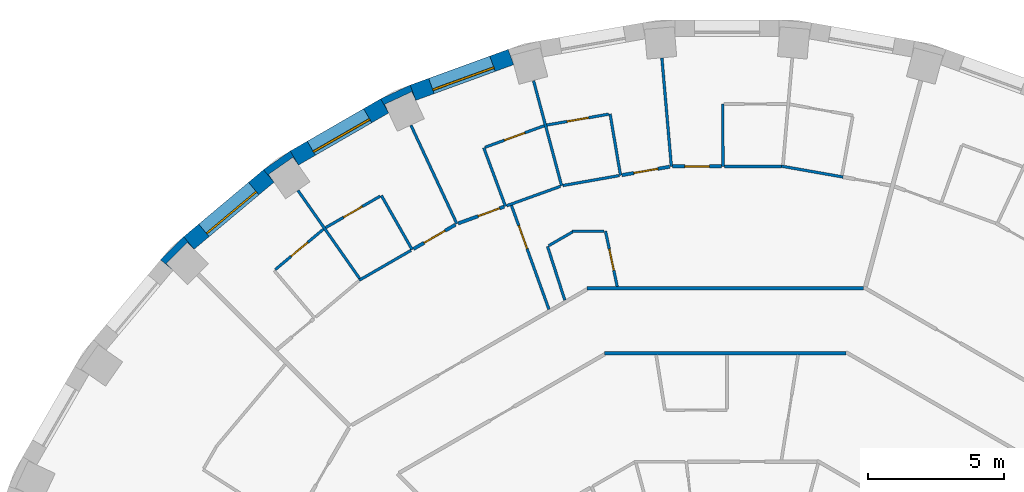
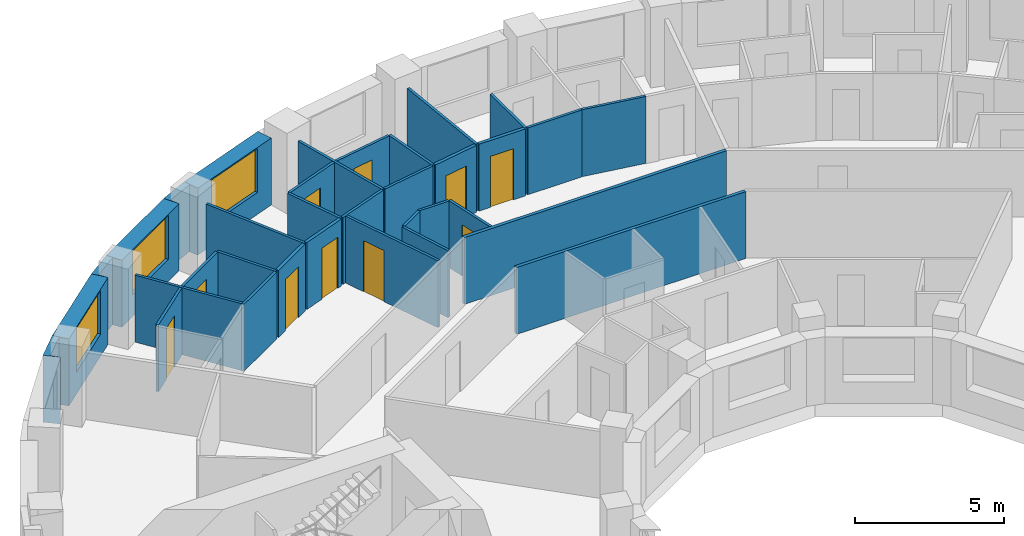
# One storey, part 12 of 16: 34 walls, 10 doors, 3 windows, 13 openings.
"""IFC4 building model written with IfcOpenShell, lengths in metres."""

import ifcopenshell
import ifcopenshell.guid

model = None  # the IFC model being written
_history = None  # IfcOwnerHistory: only IFC2X3 demands one
_inside = {}  # id of a spatial element -> (the spatial element, [elements in it])
_under = {}  # id of a project, library or spatial element -> (it, [spatial elements below it])
_declared = {}  # id of a project -> (the project, [libraries it declares])
_typed = {}  # id of a type object -> (the type object, [elements of that type])
_made_of = {}  # id of a material, layer set ... -> (it, [elements and type objects made of it])


def new_model(schema):
    """Start an empty IFC model of exactly this schema.

    Asked for "IFC4X3", IfcOpenShell would pick the latest addendum, in which some entities
    have other attributes; the version numbers below select the first issue.
    IFC2X3 requires an IfcOwnerHistory on every rooted entity: one is made here for all.
    """
    global model, _history
    if schema == "IFC4X3":
        model = ifcopenshell.file(schema_version=(4, 3, 0, 0))
    else:
        model = ifcopenshell.file(schema=schema)
    _inside.clear()
    _under.clear()
    _declared.clear()
    _typed.clear()
    _made_of.clear()
    _history = None
    if model.schema == "IFC2X3":
        org = make("IfcOrganization", Name="unknown")
        user = make(
            "IfcPersonAndOrganization",
            ThePerson=make("IfcPerson", FamilyName="unknown"),
            TheOrganization=org,
        )
        app = make(
            "IfcApplication",
            ApplicationDeveloper=org,
            Version="unknown",
            ApplicationFullName="unknown",
            ApplicationIdentifier="unknown",
        )
        _history = make(
            "IfcOwnerHistory",
            OwningUser=user,
            OwningApplication=app,
            ChangeAction="ADDED",
            CreationDate=0,
        )
    return model


def make(cls, **values):
    """One entity of the class cls with the attributes given. An attribute that is None is left unset."""
    return model.create_entity(
        cls, **{name: value for name, value in values.items() if value is not None}
    )


def rooted(cls, **values):
    """An entity with a GlobalId (a new one), such as an element, a storey or a relation."""
    return make(cls, GlobalId=ifcopenshell.guid.new(), OwnerHistory=_history, **values)


def si_unit(unit_type, name, prefix=None):
    """IfcSIUnit, for example si_unit("LENGTHUNIT", "METRE", prefix="MILLI")."""
    return make("IfcSIUnit", UnitType=unit_type, Prefix=prefix, Name=name)


def assignment(units):
    """IfcUnitAssignment: the units of a project."""
    return None if units is None else make("IfcUnitAssignment", Units=units)


def point(xyz):
    """IfcCartesianPoint."""
    return None if xyz is None else make("IfcCartesianPoint", Coordinates=xyz)


def direction(xyz):
    """IfcDirection."""
    return None if xyz is None else make("IfcDirection", DirectionRatios=xyz)


def frame(location, z_axis=None, x_axis=None):
    """IfcAxis2Placement3D, a coordinate frame: its origin and axes. An axis left out is left unset."""
    return make(
        "IfcAxis2Placement3D",
        Location=point(location),
        Axis=direction(z_axis),
        RefDirection=direction(x_axis),
    )


def frame_2d(location, x_axis=None):
    """IfcAxis2Placement2D, a coordinate frame in the plane: its origin and x axis."""
    return make(
        "IfcAxis2Placement2D", Location=point(location), RefDirection=direction(x_axis)
    )


def origin():
    """The frame at (0, 0, 0) with its axes left unset."""
    return frame((0.0, 0.0, 0.0))


def place(relative_to, where):
    """IfcLocalPlacement: puts the frame where relative to a parent placement (None: the world)."""
    return make(
        "IfcLocalPlacement", PlacementRelTo=relative_to, RelativePlacement=where
    )


def context(
    kind, dimensions, precision=None, world=None, true_north=None, identifier=None
):
    """IfcGeometricRepresentationContext, for example the 3D "Model" context."""
    return make(
        "IfcGeometricRepresentationContext",
        ContextIdentifier=identifier,
        ContextType=kind,
        CoordinateSpaceDimension=dimensions,
        Precision=precision,
        WorldCoordinateSystem=world,
        TrueNorth=true_north,
    )


def subcontext(parent, identifier, kind, view, scale=None):
    """IfcGeometricRepresentationSubContext, for example "Body" below "Model"."""
    return make(
        "IfcGeometricRepresentationSubContext",
        ContextIdentifier=identifier,
        ContextType=kind,
        ParentContext=parent,
        TargetScale=scale,
        TargetView=view,
    )


def project(units=None, contexts=None):
    """IfcProject with its units and contexts."""
    return rooted(
        "IfcProject",
        Name="project",
        RepresentationContexts=contexts,
        UnitsInContext=assignment(units),
    )


def spatial(cls, under=None, at=None, **own):
    """A site, building, storey or space (cls), placed at a placement, below another one or the project."""
    s = rooted(cls, ObjectPlacement=at, **own)
    if under is not None:
        _under.setdefault(under.id(), (under, []))[1].append(s)
    return s


def polyline(points):
    """IfcPolyline through the points."""
    return make("IfcPolyline", Points=[point(p) for p in points])


def profile(cls, at=None, kind="AREA", **sizes):
    """A parametric profile (cls). Its sizes go by their IFC names, for example OverallWidth=200.0."""
    return make(cls, ProfileType=kind, Position=at, **sizes)


def rectangle(**sizes):
    """IfcRectangleProfileDef."""
    return profile("IfcRectangleProfileDef", **sizes)


def outline(outer, holes=None, kind="AREA"):
    """IfcArbitraryClosedProfileDef: a profile drawn as a closed curve; with holes, ...WithVoids."""
    if holes is None:
        return make("IfcArbitraryClosedProfileDef", ProfileType=kind, OuterCurve=outer)
    return make(
        "IfcArbitraryProfileDefWithVoids",
        ProfileType=kind,
        OuterCurve=outer,
        InnerCurves=holes,
    )


def extrude(swept, where, along, depth):
    """IfcExtrudedAreaSolid: the profile swept, set in the frame where, extruded along a direction by depth."""
    return make(
        "IfcExtrudedAreaSolid",
        SweptArea=swept,
        Position=where,
        ExtrudedDirection=direction(along),
        Depth=depth,
    )


def shape(context_of_items, identifier, shape_type, items):
    """IfcShapeRepresentation: the items that make up one representation, for example the "Body"."""
    return make(
        "IfcShapeRepresentation",
        ContextOfItems=context_of_items,
        RepresentationIdentifier=identifier,
        RepresentationType=shape_type,
        Items=items,
    )


def material(Name=None, Category=None):
    """IfcMaterial."""
    return make("IfcMaterial", Name=Name, Category=Category)


def layer(
    of_material, thickness, ventilated=None, Name=None, Category=None, Priority=None
):
    """IfcMaterialLayer: one layer of a wall or slab, of a material (None: an air gap)."""
    return make(
        "IfcMaterialLayer",
        Material=of_material,
        LayerThickness=thickness,
        IsVentilated=ventilated,
        Name=Name,
        Category=Category,
        Priority=Priority,
    )


def layer_set(layers, Name=None):
    """IfcMaterialLayerSet."""
    return make("IfcMaterialLayerSet", MaterialLayers=layers, LayerSetName=Name)


def made_of(thing, what):
    """Note that an element or type object is made of a material, layer set ...; save() writes the relation."""
    if what is not None:
        _made_of.setdefault(what.id(), (what, []))[1].append(thing)
    return thing


def type_object(cls, material=None, **own):
    """A type object (cls), such as IfcWallType, which elements share."""
    return made_of(rooted(cls, **own), material)


def element(
    cls,
    number,
    at=None,
    inside=None,
    cuts=None,
    type_object=None,
    material=None,
    context=None,
    identifier="Body",
    shape_type=None,
    held_by="IfcProductDefinitionShape",
    body=None,
    shapes=None,
    **own,
):
    """One element of the class cls, such as IfcWall. Its Tag is "e" and its number.

    at: its placement. inside: the storey or other place that contains it. cuts: it is an
    opening in that element (IfcRelVoidsElement). A single representation is given by context,
    identifier, shape_type and body (its items); several are given by shapes. held_by: the class
    of the entity that holds the representations. save() writes the other relations.
    """
    e = rooted(cls, Tag="e%d" % number, ObjectPlacement=at, **own)
    if body is not None:
        shapes = [shape(context, identifier, shape_type, body)]
    if shapes is not None:
        e.Representation = make(held_by, Representations=shapes)
    if inside is not None:
        _inside.setdefault(inside.id(), (inside, []))[1].append(e)
    if cuts is not None:
        rooted(
            "IfcRelVoidsElement", RelatingBuildingElement=cuts, RelatedOpeningElement=e
        )
    if type_object is not None:
        _typed.setdefault(type_object.id(), (type_object, []))[1].append(e)
    return made_of(e, material)


def fill(opening, filler):
    """IfcRelFillsElement: the door or window that sits in an opening."""
    return rooted(
        "IfcRelFillsElement",
        RelatingOpeningElement=opening,
        RelatedBuildingElement=filler,
    )


def aggregate(whole, parts):
    """IfcRelAggregates: a whole, such as a stair, and the parts it consists of."""
    return rooted("IfcRelAggregates", RelatingObject=whole, RelatedObjects=parts)


def save(model, path):
    """Write the relations noted so far, then the file.

    IfcRelAggregates (storeys below a building ...), IfcRelContainedInSpatialStructure (elements
    in a storey), IfcRelDefinesByType, IfcRelAssociatesMaterial and IfcRelDeclares: one each for
    every whole, place, type object, material and project.
    """
    for whole, parts in _under.values():
        aggregate(whole, parts)
    for where, things in _inside.values():
        rooted(
            "IfcRelContainedInSpatialStructure",
            RelatedElements=things,
            RelatingStructure=where,
        )
    for kind, things in _typed.values():
        rooted("IfcRelDefinesByType", RelatedObjects=things, RelatingType=kind)
    for what, things in _made_of.values():
        rooted("IfcRelAssociatesMaterial", RelatedObjects=things, RelatingMaterial=what)
    for by, libraries in _declared.values():
        rooted("IfcRelDeclares", RelatingContext=by, RelatedDefinitions=libraries)
    model.write(path)


model = new_model("IFC4")

# Units and contexts
model_context = context("Model", 3, precision=1e-05, world=origin(), true_north=direction((0.0, 1.0)))
body_context = subcontext(model_context, "Body", "Model", "MODEL_VIEW")
ifc_project = project(units=[si_unit("LENGTHUNIT", "METRE"), si_unit("AREAUNIT", "SQUARE_METRE"), si_unit("VOLUMEUNIT", "CUBIC_METRE"), si_unit("PLANEANGLEUNIT", "RADIAN"), si_unit("MASSUNIT", "GRAM", prefix="KILO")], contexts=[model_context])

# Site, building, storey
site_placement = place(None, origin())
site = spatial("IfcSite", under=ifc_project, at=site_placement, CompositionType="ELEMENT")
building_placement = place(site_placement, origin())
building = spatial("IfcBuilding", under=site, at=building_placement, Name="Saqina Gate Tower", CompositionType="ELEMENT")
storey_placement = place(building_placement, frame((0.0, 0.0, 32.89990234375)))
storey = spatial("IfcBuildingStorey", under=building, at=storey_placement, Name="L08", CompositionType="ELEMENT", Elevation=32.89990234375)

# Walls
ifc_material_1 = material(Name="Brick masonry (red)", Category="masonry")
wall_type_1 = type_object("IfcWallType", Name="BRICK PIER COPING RED", PredefinedType="SOLIDWALL", material=ifc_material_1)
wall_1_placement = place(storey_placement, origin())
element("IfcWall", 1, at=wall_1_placement, inside=storey, type_object=wall_type_1, Name="Pier cap L08 column 12", PredefinedType="SOLIDWALL", context=body_context, shape_type="SweptSolid", body=[
    extrude(outline(polyline([(-12.779541015625, 25.980712890625), (-12.4794921875, 25.4609375), (-12.627685546875, 25.778564453125), (-11.630615234375, 26.243408203125), (-11.482666015625, 25.92578125), (-11.687744140625, 26.48974609375), (-12.779541015625, 25.980712890625)])), origin(), (0.0, 0.0, 1.0), 2.75),
])
wall_2_placement = place(storey_placement, origin())
element("IfcWall", 2, at=wall_2_placement, inside=storey, type_object=wall_type_1, Name="Pier cap L08 column 13", PredefinedType="SOLIDWALL", context=body_context, shape_type="SweptSolid", body=[
    extrude(outline(polyline([(-16.110107421875, 24.0576171875), (-17.096923828125, 23.36669921875), (-16.711181640625, 22.9072265625), (-16.912109375, 23.194091796875), (-16.010986328125, 23.8251953125), (-15.81005859375, 23.5380859375), (-16.110107421875, 24.0576171875)])), origin(), (0.0, 0.0, 1.0), 2.75),
])
wall_3_placement = place(storey_placement, origin())
element("IfcWall", 3, at=wall_3_placement, inside=storey, type_object=wall_type_1, Name="Pier cap L08 column 14", PredefinedType="SOLIDWALL", context=body_context, shape_type="SweptSolid", body=[
    extrude(outline(polyline([(-20.894775390625, 20.04296875), (-20.43505859375, 19.6572265625), (-20.682861328125, 19.905029296875), (-19.905029296875, 20.682861328125), (-19.6572265625, 20.43505859375), (-20.04296875, 20.894775390625), (-20.894775390625, 20.04296875)])), origin(), (0.0, 0.0, 1.0), 2.75),
])

# Wall, opening, window
ifc_material_2 = material(Name="Brick masonry (red)", Category="masonry")
ifc_layer_1 = layer(ifc_material_2, 0.60009765625)
ifc_layer_set_1 = layer_set([ifc_layer_1], Name="FW-BRICK-RED")
wall_type_2 = type_object("IfcWallType", Name="FW-BRICK-RED", PredefinedType="SOLIDWALL", material=ifc_layer_set_1)
wall_4_placement = place(storey_placement, frame((-7.97119140625, 27.523193359375, 0.0), z_axis=(0.0, 0.0, 1.0), x_axis=(-0.939689588564, -0.342028474173, 0.0)))
wall_4 = element("IfcWall", 4, at=wall_4_placement, inside=storey, type_object=wall_type_2, Name="Facade wall L08 facet 11", PredefinedType="SOLIDWALL", context=body_context, shape_type="SweptSolid", body=[
    extrude(rectangle(XDim=3.845947265625, YDim=0.60009765625, at=frame_2d((1.9228515625, 0.0))), origin(), (0.0, 0.0, 1.0), 2.75),
])
opening_1_placement = place(wall_4_placement, frame((0.722900390625, 0.0, 0.89990234375)))
opening_1 = element("IfcOpeningElement", 5, at=opening_1_placement, cuts=wall_4, Name="Opening G01-W09", PredefinedType="OPENING", context=body_context, shape_type="SweptSolid", body=[
    extrude(rectangle(XDim=2.39990234375, YDim=1.800048828125, at=frame_2d((1.199951171875, 0.89990234375))), frame((0.0, 0.31201171875, 0.0), z_axis=(0.0, -1.0, 0.0), x_axis=(1.0, 0.0, 0.0)), (0.0, 0.0, 1.0), 0.6240234375),
])
ifc_material_3 = material(Name="Aluminium glazing", Category="aluminium")
window_type = type_object("IfcWindowType", Name="WN-A", PartitioningType="SINGLE_PANEL", PredefinedType="WINDOW", material=ifc_material_3)
window_1_placement = place(opening_1_placement, origin())
window_1 = element("IfcWindow", 6, at=window_1_placement, inside=storey, type_object=window_type, Name="Window L08 facet 11", OverallHeight=1.800048828125, OverallWidth=2.39990234375, PartitioningType="SINGLE_PANEL", PredefinedType="WINDOW", context=body_context, shape_type="SweptSolid", body=[
    extrude(rectangle(XDim=2.39990234375, YDim=1.800048828125, at=frame_2d((1.199951171875, 0.89990234375))), frame((0.0, 0.179931640625, 0.0), z_axis=(0.0, -1.0, 0.0), x_axis=(1.0, 0.0, 0.0)), (0.0, 0.0, 1.0), 0.06005859375),
])
fill(opening_1, window_1)

wall_5_placement = place(storey_placement, frame((-12.629638671875, 25.720703125, 0.0), z_axis=(0.0, 0.0, 1.0), x_axis=(-0.86603124159, -0.499989888488, 0.0)))
wall_5 = element("IfcWall", 7, at=wall_5_placement, inside=storey, type_object=wall_type_2, Name="Facade wall L08 facet 12", PredefinedType="SOLIDWALL", context=body_context, shape_type="SweptSolid", body=[
    extrude(rectangle(XDim=3.845703125, YDim=0.60009765625, at=frame_2d((1.9228515625, 0.0))), origin(), (0.0, 0.0, 1.0), 2.75),
])
opening_2_placement = place(wall_5_placement, frame((0.722900390625, 0.0, 0.89990234375)))
opening_2 = element("IfcOpeningElement", 8, at=opening_2_placement, cuts=wall_5, Name="Opening G01-W10", PredefinedType="OPENING", context=body_context, shape_type="SweptSolid", body=[
    extrude(rectangle(XDim=2.39990234375, YDim=1.800048828125, at=frame_2d((1.199951171875, 0.89990234375))), frame((0.0, 0.31201171875, 0.0), z_axis=(0.0, -1.0, 0.0), x_axis=(1.0, 0.0, 0.0)), (0.0, 0.0, 1.0), 0.6240234375),
])
window_2_placement = place(opening_2_placement, origin())
window_2 = element("IfcWindow", 9, at=window_2_placement, inside=storey, type_object=window_type, Name="Window L08 facet 12", OverallHeight=1.800048828125, OverallWidth=2.39990234375, PartitioningType="SINGLE_PANEL", PredefinedType="WINDOW", context=body_context, shape_type="SweptSolid", body=[
    extrude(rectangle(XDim=2.39990234375, YDim=1.800048828125, at=frame_2d((1.199951171875, 0.89990234375))), frame((0.0, 0.179931640625, 0.0), z_axis=(0.0, -1.0, 0.0), x_axis=(1.0, 0.0, 0.0)), (0.0, 0.0, 1.0), 0.06005859375),
])
fill(opening_2, window_2)

wall_6_placement = place(storey_placement, frame((-16.904052734375, 23.136962890625, 0.0), z_axis=(0.0, 0.0, 1.0), x_axis=(-0.766026164483, -0.642809392687, 0.0)))
wall_6 = element("IfcWall", 10, at=wall_6_placement, inside=storey, type_object=wall_type_2, Name="Facade wall L08 facet 13", PredefinedType="SOLIDWALL", context=body_context, shape_type="SweptSolid", body=[
    extrude(rectangle(XDim=3.845947265625, YDim=0.60009765625, at=frame_2d((1.9228515625, 0.0))), origin(), (0.0, 0.0, 1.0), 2.75),
])
opening_3_placement = place(wall_6_placement, frame((0.722900390625, 0.0, 0.89990234375)))
opening_3 = element("IfcOpeningElement", 11, at=opening_3_placement, cuts=wall_6, Name="Opening G01-W11", PredefinedType="OPENING", context=body_context, shape_type="SweptSolid", body=[
    extrude(rectangle(XDim=2.39990234375, YDim=1.800048828125, at=frame_2d((1.199951171875, 0.89990234375))), frame((0.0, 0.31201171875, 0.0), z_axis=(0.0, -1.0, 0.0), x_axis=(1.0, 0.0, 0.0)), (0.0, 0.0, 1.0), 0.6240234375),
])
window_3_placement = place(opening_3_placement, origin())
window_3 = element("IfcWindow", 12, at=window_3_placement, inside=storey, type_object=window_type, Name="Window L08 facet 13", OverallHeight=1.800048828125, OverallWidth=2.39990234375, PartitioningType="SINGLE_PANEL", PredefinedType="WINDOW", context=body_context, shape_type="SweptSolid", body=[
    extrude(rectangle(XDim=2.39990234375, YDim=1.800048828125, at=frame_2d((1.199951171875, 0.89990234375))), frame((0.0, 0.179931640625, 0.0), z_axis=(0.0, -1.0, 0.0), x_axis=(1.0, 0.0, 0.0)), (0.0, 0.0, 1.0), 0.06005859375),
])
fill(opening_3, window_3)

# Walls
ifc_material_4 = material(Name="Gypsum board on steel studs, 100 mm", Category="steel")
ifc_layer_2 = layer(ifc_material_4, 0.10009765625)
ifc_layer_set_2 = layer_set([ifc_layer_2], Name="PARTITION 100")
wall_type_3 = type_object("IfcWallType", Name="PARTITION 100", PredefinedType="PARTITIONING", material=ifc_layer_set_2)
wall_7_placement = place(storey_placement, frame((-0.1650390625, 25.7900390625, 0.0), z_axis=(0.0, 0.0, 1.0), x_axis=(0.006580899844, -0.999978345644, 0.0)))
element("IfcWall", 13, at=wall_7_placement, inside=storey, type_object=wall_type_3, Name="PARTITION PW3-01", PredefinedType="PARTITIONING", context=body_context, shape_type="SweptSolid", body=[
    extrude(rectangle(XDim=2.300048828125, YDim=0.10009765625, at=frame_2d((1.14990234375, 0.0))), origin(), (0.0, 0.0, 1.0), 2.75),
])
wall_8_placement = place(storey_placement, frame((-2.404541015625, 27.485107421875, 0.0), z_axis=(0.0, 0.0, 1.0), x_axis=(0.087176012461, -0.996192924514, 0.0)))
element("IfcWall", 14, at=wall_8_placement, inside=storey, type_object=wall_type_3, Name="PARTITION PW3-03", PredefinedType="PARTITIONING", context=body_context, shape_type="SweptSolid", body=[
    extrude(rectangle(XDim=4.010498046875, YDim=0.10009765625, at=frame_2d((2.00537109375, 0.0))), origin(), (0.0, 0.0, 1.0), 2.75),
])
wall_9_placement = place(storey_placement, frame((-4.31591796875, 25.426025390625, 0.0), z_axis=(0.0, 0.0, 1.0), x_axis=(0.167445855502, -0.985881273519, 0.0)))
element("IfcWall", 15, at=wall_9_placement, inside=storey, type_object=wall_type_3, Name="PARTITION PW3-09", PredefinedType="PARTITIONING", context=body_context, shape_type="SweptSolid", body=[
    extrude(rectangle(XDim=2.29931640625, YDim=0.10009765625, at=frame_2d((1.149658203125, 0.0))), origin(), (0.0, 0.0, 1.0), 2.75),
])

# Wall, opening, door
wall_10_placement = place(storey_placement, frame((-4.485107421875, 21.10009765625, 0.0), z_axis=(0.0, 0.0, 1.0), x_axis=(0.207769107872, -0.978177896813, 0.0)))
wall_10 = element("IfcWall", 16, at=wall_10_placement, inside=storey, type_object=wall_type_3, Name="PARTITION PW3-11", PredefinedType="PARTITIONING", context=body_context, shape_type="SweptSolid", body=[
    extrude(rectangle(XDim=2.08447265625, YDim=0.10009765625, at=frame_2d((1.042236328125, 0.0))), origin(), (0.0, 0.0, 1.0), 2.75),
])
opening_4_placement = place(wall_10_placement, frame((0.67333984375, 0.0, 0.0)))
opening_4 = element("IfcOpeningElement", 17, at=opening_4_placement, cuts=wall_10, Name="Opening G01-D25", PredefinedType="OPENING", context=body_context, shape_type="SweptSolid", body=[
    extrude(rectangle(XDim=0.800048828125, YDim=2.10009765625, at=frame_2d((0.39990234375, 1.050048828125))), frame((0.0, 0.06201171875, 0.0), z_axis=(0.0, -1.0, 0.0), x_axis=(1.0, 0.0, 0.0)), (0.0, 0.0, 1.0), 0.1240234375),
])
ifc_material_5 = material(Name="Timber door leaf, 800 mm", Category="wood")
door_type_1 = type_object("IfcDoorType", Name="DOOR 800 TIMBER", OperationType="SINGLE_SWING_LEFT", PredefinedType="DOOR", material=ifc_material_5)
door_1_placement = place(opening_4_placement, origin())
door_1 = element("IfcDoor", 18, at=door_1_placement, inside=storey, type_object=door_type_1, Name="DOOR G01-D25", OperationType="SINGLE_SWING_RIGHT", OverallHeight=2.10009765625, OverallWidth=0.800048828125, PredefinedType="DOOR", context=body_context, shape_type="SweptSolid", body=[
    extrude(rectangle(XDim=0.800048828125, YDim=2.10009765625, at=frame_2d((0.39990234375, 1.050048828125))), frame((0.0, 0.02490234375, 0.0), z_axis=(0.0, -1.0, 0.0), x_axis=(1.0, 0.0, 0.0)), (0.0, 0.0, 1.0), 0.050048828125),
])
fill(opening_4, door_1)

# Walls
wall_11_placement = place(storey_placement, frame((-7.13818359375, 26.650634765625, 0.0), z_axis=(0.0, 0.0, 1.0), x_axis=(0.258102122941, -0.966117639904, 0.0)))
element("IfcWall", 19, at=wall_11_placement, inside=storey, type_object=wall_type_3, Name="PARTITION PW3-12", PredefinedType="PARTITIONING", context=body_context, shape_type="SweptSolid", body=[
    extrude(rectangle(XDim=4.0107421875, YDim=0.10009765625, at=frame_2d((2.00537109375, 0.0))), origin(), (0.0, 0.0, 1.0), 2.75),
])
wall_12_placement = place(storey_placement, frame((-6.6240234375, 20.5400390625, 0.0), z_axis=(0.0, 0.0, 1.0), x_axis=(0.306694945769, -0.951807864141, 0.0)))
element("IfcWall", 20, at=wall_12_placement, inside=storey, type_object=wall_type_3, Name="PARTITION PW3-15", PredefinedType="PARTITIONING", context=body_context, shape_type="SweptSolid", body=[
    extrude(rectangle(XDim=2.085693359375, YDim=0.10009765625, at=frame_2d((1.04296875, 0.0))), origin(), (0.0, 0.0, 1.0), 2.75),
])

# Wall, opening, door
wall_13_placement = place(storey_placement, frame((-7.953125, 22.049072265625, 0.0), z_axis=(0.0, 0.0, 1.0), x_axis=(0.339432395801, -0.940630452771, 0.0)))
wall_13 = element("IfcWall", 21, at=wall_13_placement, inside=storey, type_object=wall_type_3, Name="PARTITION PW3-16", PredefinedType="PARTITIONING", context=body_context, shape_type="SweptSolid", body=[
    extrude(rectangle(XDim=4.073974609375, YDim=0.10009765625, at=frame_2d((2.037109375, 0.0))), origin(), (0.0, 0.0, 1.0), 2.75),
])
opening_5_placement = place(wall_13_placement, frame((0.793212890625, 0.0, 0.0)))
opening_5 = element("IfcOpeningElement", 22, at=opening_5_placement, cuts=wall_13, Name="Opening G01-D28", PredefinedType="OPENING", context=body_context, shape_type="SweptSolid", body=[
    extrude(rectangle(XDim=0.89990234375, YDim=2.10009765625, at=frame_2d((0.449951171875, 1.050048828125))), frame((0.0, 0.06201171875, 0.0), z_axis=(0.0, -1.0, 0.0), x_axis=(1.0, 0.0, 0.0)), (0.0, 0.0, 1.0), 0.1240234375),
])
ifc_material_6 = material(Name="Timber door leaf, 900 mm", Category="wood")
door_type_2 = type_object("IfcDoorType", Name="DOOR 900 TIMBER", OperationType="SINGLE_SWING_LEFT", PredefinedType="DOOR", material=ifc_material_6)
door_2_placement = place(opening_5_placement, origin())
door_2 = element("IfcDoor", 23, at=door_2_placement, inside=storey, type_object=door_type_2, Name="DOOR G01-D28", OperationType="SINGLE_SWING_RIGHT", OverallHeight=2.10009765625, OverallWidth=0.89990234375, PredefinedType="DOOR", context=body_context, shape_type="SweptSolid", body=[
    extrude(rectangle(XDim=0.89990234375, YDim=2.10009765625, at=frame_2d((0.449951171875, 1.050048828125))), frame((0.0, 0.02490234375, 0.0), z_axis=(0.0, -1.0, 0.0), x_axis=(1.0, 0.0, 0.0)), (0.0, 0.0, 1.0), 0.050048828125),
])
fill(opening_5, door_2)

# Walls
wall_14_placement = place(storey_placement, frame((-8.97509765625, 24.177978515625, 0.0), z_axis=(0.0, 0.0, 1.0), x_axis=(0.347898637283, -0.937532153143, 0.0)))
element("IfcWall", 24, at=wall_14_placement, inside=storey, type_object=wall_type_3, Name="PARTITION PW3-17", PredefinedType="PARTITIONING", context=body_context, shape_type="SweptSolid", body=[
    extrude(rectangle(XDim=2.299560546875, YDim=0.10009765625, at=frame_2d((1.14990234375, 0.0))), origin(), (0.0, 0.0, 1.0), 2.75),
])
wall_15_placement = place(storey_placement, frame((-11.659912109375, 25.005126953125, 0.0), z_axis=(0.0, 0.0, 1.0), x_axis=(0.422575525044, -0.906327714259, 0.0)))
element("IfcWall", 25, at=wall_15_placement, inside=storey, type_object=wall_type_3, Name="PARTITION PW3-21", PredefinedType="PARTITIONING", context=body_context, shape_type="SweptSolid", body=[
    extrude(rectangle(XDim=4.0107421875, YDim=0.10009765625, at=frame_2d((2.00537109375, 0.0))), origin(), (0.0, 0.0, 1.0), 2.75),
])
wall_16_placement = place(storey_placement, frame((-12.751953125, 22.4169921875, 0.0), z_axis=(0.0, 0.0, 1.0), x_axis=(0.494388735629, -0.869240920621, 0.0)))
element("IfcWall", 26, at=wall_16_placement, inside=storey, type_object=wall_type_3, Name="PARTITION PW3-22", PredefinedType="PARTITIONING", context=body_context, shape_type="SweptSolid", body=[
    extrude(rectangle(XDim=2.2998046875, YDim=0.10009765625, at=frame_2d((1.14990234375, 0.0))), origin(), (0.0, 0.0, 1.0), 2.75),
])
wall_17_placement = place(storey_placement, frame((-15.824951171875, 22.600341796875, 0.0), z_axis=(0.0, 0.0, 1.0), x_axis=(0.573420971208, -0.819260880171, 0.0)))
element("IfcWall", 27, at=wall_17_placement, inside=storey, type_object=wall_type_3, Name="PARTITION PW3-26", PredefinedType="PARTITIONING", context=body_context, shape_type="SweptSolid", body=[
    extrude(rectangle(XDim=3.96044921875, YDim=0.10009765625, at=frame_2d((1.980224609375, 0.0))), origin(), (0.0, 0.0, 1.0), 2.75),
])
wall_18_placement = place(storey_placement, frame((2.0048828125, 23.498779296875, 0.0), z_axis=(0.0, 0.0, 1.0), x_axis=(0.984814448646, -0.173610200557, 0.0)))
element("IfcWall", 28, at=wall_18_placement, inside=storey, type_object=wall_type_3, Name="PARTITION PW3-53", PredefinedType="PARTITIONING", context=body_context, shape_type="SweptSolid", body=[
    extrude(rectangle(XDim=2.30615234375, YDim=0.10009765625, at=frame_2d((1.153076171875, 0.0))), origin(), (0.0, 0.0, 1.0), 2.75),
])
wall_19_placement = place(storey_placement, frame((-5.711669921875, 21.10009765625, 0.0), z_axis=(0.0, 0.0, 1.0), x_axis=(1.0, 0.0, 0.0)))
element("IfcWall", 29, at=wall_19_placement, inside=storey, type_object=wall_type_3, Name="PARTITION PW3-64", PredefinedType="PARTITIONING", context=body_context, shape_type="SweptSolid", body=[
    extrude(rectangle(XDim=1.1767578125, YDim=0.10009765625, at=frame_2d((0.58837890625, 0.0))), origin(), (0.0, 0.0, 1.0), 2.75),
])
wall_20_placement = place(storey_placement, frame((-0.10009765625, 23.489990234375, 0.0), z_axis=(0.0, 0.0, 1.0), x_axis=(1.0, 0.0, 0.0)))
element("IfcWall", 30, at=wall_20_placement, inside=storey, type_object=wall_type_3, Name="PARTITION PW3-65", PredefinedType="PARTITIONING", context=body_context, shape_type="SweptSolid", body=[
    extrude(rectangle(XDim=2.10498046875, YDim=0.10009765625, at=frame_2d((1.052490234375, 0.0))), origin(), (0.0, 0.0, 1.0), 2.75),
])
wall_21_placement = place(storey_placement, frame((-6.0537109375, 22.78466796875, 0.0), z_axis=(0.0, 0.0, 1.0), x_axis=(0.984798730273, 0.173699340392, 0.0)))
element("IfcWall", 31, at=wall_21_placement, inside=storey, type_object=wall_type_3, Name="PARTITION PW3-69", PredefinedType="PARTITIONING", context=body_context, shape_type="SweptSolid", body=[
    extrude(rectangle(XDim=2.10546875, YDim=0.10009765625, at=frame_2d((1.052734375, 0.0))), origin(), (0.0, 0.0, 1.0), 2.75),
])

# Wall, opening, door
wall_22_placement = place(storey_placement, frame((-6.65087890625, 25.0146484375, 0.0), z_axis=(0.0, 0.0, 1.0), x_axis=(0.98483963522, 0.173467267515, 0.0)))
wall_22 = element("IfcWall", 32, at=wall_22_placement, inside=storey, type_object=wall_type_3, Name="PARTITION PW3-70", PredefinedType="PARTITIONING", context=body_context, shape_type="SweptSolid", body=[
    extrude(rectangle(XDim=2.32080078125, YDim=0.10009765625, at=frame_2d((1.160400390625, 0.0))), origin(), (0.0, 0.0, 1.0), 2.75),
])
opening_6_placement = place(wall_22_placement, frame((0.760498046875, 0.0, 0.0)))
opening_6 = element("IfcOpeningElement", 33, at=opening_6_placement, cuts=wall_22, Name="Opening G01-D26", PredefinedType="OPENING", context=body_context, shape_type="SweptSolid", body=[
    extrude(rectangle(XDim=0.800048828125, YDim=2.10009765625, at=frame_2d((0.39990234375, 1.050048828125))), frame((0.0, 0.06201171875, 0.0), z_axis=(0.0, -1.0, 0.0), x_axis=(1.0, 0.0, 0.0)), (0.0, 0.0, 1.0), 0.1240234375),
])
door_3_placement = place(opening_6_placement, origin())
door_3 = element("IfcDoor", 34, at=door_3_placement, inside=storey, type_object=door_type_1, Name="DOOR G01-D26", OperationType="SINGLE_SWING_RIGHT", OverallHeight=2.10009765625, OverallWidth=0.800048828125, PredefinedType="DOOR", context=body_context, shape_type="SweptSolid", body=[
    extrude(rectangle(XDim=0.800048828125, YDim=2.10009765625, at=frame_2d((0.39990234375, 1.050048828125))), frame((0.0, 0.02490234375, 0.0), z_axis=(0.0, -1.0, 0.0), x_axis=(1.0, 0.0, 0.0)), (0.0, 0.0, 1.0), 0.050048828125),
])
fill(opening_6, door_3)

# Wall
wall_23_placement = place(storey_placement, frame((-8.1279296875, 22.0390625, 0.0), z_axis=(0.0, 0.0, 1.0), x_axis=(0.940600209608, 0.339516193553, 0.0)))
element("IfcWall", 35, at=wall_23_placement, inside=storey, type_object=wall_type_3, Name="PARTITION PW3-71", PredefinedType="PARTITIONING", context=body_context, shape_type="SweptSolid", body=[
    extrude(rectangle(XDim=2.104736328125, YDim=0.10009765625, at=frame_2d((1.05224609375, 0.0))), origin(), (0.0, 0.0, 1.0), 2.75),
])

# Wall, opening, door
wall_24_placement = place(storey_placement, frame((-8.927978515625, 24.195068359375, 0.0), z_axis=(0.0, 0.0, 1.0), x_axis=(0.939670512052, 0.342080880465, 0.0)))
wall_24 = element("IfcWall", 36, at=wall_24_placement, inside=storey, type_object=wall_type_3, Name="PARTITION PW3-73", PredefinedType="PARTITIONING", context=body_context, shape_type="SweptSolid", body=[
    extrude(rectangle(XDim=2.321044921875, YDim=0.10009765625, at=frame_2d((1.16064453125, 0.0))), origin(), (0.0, 0.0, 1.0), 2.75),
])
opening_7_placement = place(wall_24_placement, frame((0.760498046875, 0.0, 0.0)))
opening_7 = element("IfcOpeningElement", 37, at=opening_7_placement, cuts=wall_24, Name="Opening G01-D27", PredefinedType="OPENING", context=body_context, shape_type="SweptSolid", body=[
    extrude(rectangle(XDim=0.800048828125, YDim=2.10009765625, at=frame_2d((0.39990234375, 1.050048828125))), frame((0.0, 0.06201171875, 0.0), z_axis=(0.0, -1.0, 0.0), x_axis=(1.0, 0.0, 0.0)), (0.0, 0.0, 1.0), 0.1240234375),
])
door_4_placement = place(opening_7_placement, origin())
door_4 = element("IfcDoor", 38, at=door_4_placement, inside=storey, type_object=door_type_1, Name="DOOR G01-D27", OperationType="SINGLE_SWING_RIGHT", OverallHeight=2.10009765625, OverallWidth=0.800048828125, PredefinedType="DOOR", context=body_context, shape_type="SweptSolid", body=[
    extrude(rectangle(XDim=0.800048828125, YDim=2.10009765625, at=frame_2d((0.39990234375, 1.050048828125))), frame((0.0, 0.02490234375, 0.0), z_axis=(0.0, -1.0, 0.0), x_axis=(1.0, 0.0, 0.0)), (0.0, 0.0, 1.0), 0.050048828125),
])
fill(opening_7, door_4)

# Walls
wall_25_placement = place(storey_placement, frame((-6.580810546875, 20.56494140625, 0.0), z_axis=(0.0, 0.0, 1.0), x_axis=(0.866070023821, 0.499922707865, 0.0)))
element("IfcWall", 39, at=wall_25_placement, inside=storey, type_object=wall_type_3, Name="PARTITION PW3-80", PredefinedType="PARTITIONING", context=body_context, shape_type="SweptSolid", body=[
    extrude(rectangle(XDim=1.020263671875, YDim=0.10009765625, at=frame_2d((0.51025390625, 0.0))), origin(), (0.0, 0.0, 1.0), 2.75),
])
wall_26_placement = place(storey_placement, frame((-13.56884765625, 19.28955078125, 0.0), z_axis=(0.0, 0.0, 1.0), x_axis=(0.865946011253, 0.500137486693, 0.0)))
element("IfcWall", 40, at=wall_26_placement, inside=storey, type_object=wall_type_3, Name="PARTITION PW3-81", PredefinedType="PARTITIONING", context=body_context, shape_type="SweptSolid", body=[
    extrude(rectangle(XDim=2.20654296875, YDim=0.10009765625, at=frame_2d((1.103271484375, 0.0))), origin(), (0.0, 0.0, 1.0), 2.75),
])

# Wall, opening, door
wall_27_placement = place(storey_placement, frame((-14.8056640625, 21.23095703125, 0.0), z_axis=(0.0, 0.0, 1.0), x_axis=(0.865929854881, 0.500165459049, 0.0)))
wall_27 = element("IfcWall", 41, at=wall_27_placement, inside=storey, type_object=wall_type_3, Name="PARTITION PW3-82", PredefinedType="PARTITIONING", context=body_context, shape_type="SweptSolid", body=[
    extrude(rectangle(XDim=2.321533203125, YDim=0.10009765625, at=frame_2d((1.16064453125, 0.0))), origin(), (0.0, 0.0, 1.0), 2.75),
])
opening_8_placement = place(wall_27_placement, frame((0.7607421875, 0.0, 0.0)))
opening_8 = element("IfcOpeningElement", 42, at=opening_8_placement, cuts=wall_27, Name="Opening G01-D33", PredefinedType="OPENING", context=body_context, shape_type="SweptSolid", body=[
    extrude(rectangle(XDim=0.800048828125, YDim=2.10009765625, at=frame_2d((0.39990234375, 1.050048828125))), frame((0.0, 0.06201171875, 0.0), z_axis=(0.0, -1.0, 0.0), x_axis=(1.0, 0.0, 0.0)), (0.0, 0.0, 1.0), 0.1240234375),
])
door_5_placement = place(opening_8_placement, origin())
door_5 = element("IfcDoor", 43, at=door_5_placement, inside=storey, type_object=door_type_1, Name="DOOR G01-D33", OperationType="SINGLE_SWING_RIGHT", OverallHeight=2.10009765625, OverallWidth=0.800048828125, PredefinedType="DOOR", context=body_context, shape_type="SweptSolid", body=[
    extrude(rectangle(XDim=0.800048828125, YDim=2.10009765625, at=frame_2d((0.39990234375, 1.050048828125))), frame((0.0, 0.02490234375, 0.0), z_axis=(0.0, -1.0, 0.0), x_axis=(1.0, 0.0, 0.0)), (0.0, 0.0, 1.0), 0.050048828125),
])
fill(opening_8, door_5)

wall_28_placement = place(storey_placement, frame((-16.665771484375, 19.68212890625, 0.0), z_axis=(0.0, 0.0, 1.0), x_axis=(0.766191543126, 0.642612261976, 0.0)))
wall_28 = element("IfcWall", 44, at=wall_28_placement, inside=storey, type_object=wall_type_3, Name="PARTITION PW3-88", PredefinedType="PARTITIONING", context=body_context, shape_type="SweptSolid", body=[
    extrude(rectangle(XDim=2.3212890625, YDim=0.10009765625, at=frame_2d((1.16064453125, 0.0))), origin(), (0.0, 0.0, 1.0), 2.75),
])
opening_9_placement = place(wall_28_placement, frame((0.760498046875, 0.0, 0.0)))
opening_9 = element("IfcOpeningElement", 45, at=opening_9_placement, cuts=wall_28, Name="Opening G01-D36", PredefinedType="OPENING", context=body_context, shape_type="SweptSolid", body=[
    extrude(rectangle(XDim=0.800048828125, YDim=2.10009765625, at=frame_2d((0.39990234375, 1.050048828125))), frame((0.0, 0.06201171875, 0.0), z_axis=(0.0, -1.0, 0.0), x_axis=(1.0, 0.0, 0.0)), (0.0, 0.0, 1.0), 0.1240234375),
])
door_6_placement = place(opening_9_placement, origin())
door_6 = element("IfcDoor", 46, at=door_6_placement, inside=storey, type_object=door_type_1, Name="DOOR G01-D36", OperationType="SINGLE_SWING_RIGHT", OverallHeight=2.10009765625, OverallWidth=0.800048828125, PredefinedType="DOOR", context=body_context, shape_type="SweptSolid", body=[
    extrude(rectangle(XDim=0.800048828125, YDim=2.10009765625, at=frame_2d((0.39990234375, 1.050048828125))), frame((0.0, 0.02490234375, 0.0), z_axis=(0.0, -1.0, 0.0), x_axis=(1.0, 0.0, 0.0)), (0.0, 0.0, 1.0), 0.050048828125),
])
fill(opening_9, door_6)

# Walls
ifc_material_7 = material(Name="Gypsum board on steel studs, 125 mm, fire rated", Category="steel")
ifc_layer_3 = layer(ifc_material_7, 0.125)
ifc_layer_set_3 = layer_set([ifc_layer_3], Name="PARTITION EI 30 125")
wall_type_4 = type_object("IfcWallType", Name="PARTITION EI 30 125", PredefinedType="PARTITIONING", material=ifc_layer_set_3)
wall_29_placement = place(storey_placement, frame((-4.520263671875, 16.60009765625, 0.0), z_axis=(0.0, 0.0, 1.0), x_axis=(1.0, 0.0, 0.0)))
element("IfcWall", 47, at=wall_29_placement, inside=storey, type_object=wall_type_4, Name="PARTITION PW1-30", PredefinedType="PARTITIONING", context=body_context, shape_type="SweptSolid", body=[
    extrude(rectangle(XDim=8.90576171875, YDim=0.125, at=frame_2d((4.452880859375, 0.0))), origin(), (0.0, 0.0, 1.0), 2.75),
])
wall_30_placement = place(storey_placement, frame((-5.1630859375, 19.0, 0.0), z_axis=(0.0, 0.0, 1.0), x_axis=(1.0, 0.0, 0.0)))
element("IfcWall", 48, at=wall_30_placement, inside=storey, type_object=wall_type_4, Name="PARTITION PW1-31", PredefinedType="PARTITIONING", context=body_context, shape_type="SweptSolid", body=[
    extrude(rectangle(XDim=10.191650390625, YDim=0.125, at=frame_2d((5.095703125, 0.0))), origin(), (0.0, 0.0, 1.0), 2.75),
])

# Wall, opening, door
wall_31_placement = place(storey_placement, frame((-2.0048828125, 23.489990234375, 0.0), z_axis=(0.0, 0.0, 1.0), x_axis=(1.0, 0.0, 0.0)))
wall_31 = element("IfcWall", 49, at=wall_31_placement, inside=storey, type_object=wall_type_4, Name="PARTITION PW1-32", PredefinedType="PARTITIONING", context=body_context, shape_type="SweptSolid", body=[
    extrude(rectangle(XDim=1.804931640625, YDim=0.125, at=frame_2d((0.90234375, 0.0))), origin(), (0.0, 0.0, 1.0), 2.75),
])
opening_10_placement = place(wall_31_placement, frame((0.452392578125, 0.0, 0.0)))
opening_10 = element("IfcOpeningElement", 50, at=opening_10_placement, cuts=wall_31, Name="Opening G01-D21", PredefinedType="OPENING", context=body_context, shape_type="SweptSolid", body=[
    extrude(rectangle(XDim=0.89990234375, YDim=2.10009765625, at=frame_2d((0.449951171875, 1.050048828125))), frame((0.0, 0.074462890625, 0.0), z_axis=(0.0, -1.0, 0.0), x_axis=(1.0, 0.0, 0.0)), (0.0, 0.0, 1.0), 0.14892578125),
])
ifc_material_8 = material(Name="Fire door leaf EI 30, 900 mm")
door_type_3 = type_object("IfcDoorType", Name="DOOR 900 EI 30", OperationType="SINGLE_SWING_LEFT", PredefinedType="DOOR", material=ifc_material_8)
door_7_placement = place(opening_10_placement, frame((0.89990234375, 0.0, 0.0), z_axis=(0.0, 0.0, 1.0), x_axis=(-1.0, 0.0, 0.0)))
door_7 = element("IfcDoor", 51, at=door_7_placement, inside=storey, type_object=door_type_3, Name="DOOR G01-D21", OperationType="SINGLE_SWING_RIGHT", OverallHeight=2.10009765625, OverallWidth=0.89990234375, PredefinedType="DOOR", context=body_context, shape_type="SweptSolid", body=[
    extrude(rectangle(XDim=0.89990234375, YDim=2.10009765625, at=frame_2d((0.449951171875, 1.050048828125))), frame((0.0, 0.02490234375, 0.0), z_axis=(0.0, -1.0, 0.0), x_axis=(1.0, 0.0, 0.0)), (0.0, 0.0, 1.0), 0.050048828125),
])
fill(opening_10, door_7)

wall_32_placement = place(storey_placement, frame((-3.8818359375, 23.167724609375, 0.0), z_axis=(0.0, 0.0, 1.0), x_axis=(0.984784929821, 0.173777564715, 0.0)))
wall_32 = element("IfcWall", 52, at=wall_32_placement, inside=storey, type_object=wall_type_4, Name="PARTITION PW1-34", PredefinedType="PARTITIONING", context=body_context, shape_type="SweptSolid", body=[
    extrude(rectangle(XDim=1.792724609375, YDim=0.125, at=frame_2d((0.896484375, 0.0))), origin(), (0.0, 0.0, 1.0), 2.75),
])
opening_11_placement = place(wall_32_placement, frame((0.452392578125, 0.0, 0.0)))
opening_11 = element("IfcOpeningElement", 53, at=opening_11_placement, cuts=wall_32, Name="Opening G01-D24", PredefinedType="OPENING", context=body_context, shape_type="SweptSolid", body=[
    extrude(rectangle(XDim=0.89990234375, YDim=2.10009765625, at=frame_2d((0.449951171875, 1.050048828125))), frame((0.0, 0.074462890625, 0.0), z_axis=(0.0, -1.0, 0.0), x_axis=(1.0, 0.0, 0.0)), (0.0, 0.0, 1.0), 0.14892578125),
])
door_8_placement = place(opening_11_placement, frame((0.89990234375, 0.0, 0.0), z_axis=(0.0, 0.0, 1.0), x_axis=(-1.0, 0.0, 0.0)))
door_8 = element("IfcDoor", 54, at=door_8_placement, inside=storey, type_object=door_type_3, Name="DOOR G01-D24", OperationType="SINGLE_SWING_LEFT", OverallHeight=2.10009765625, OverallWidth=0.89990234375, PredefinedType="DOOR", context=body_context, shape_type="SweptSolid", body=[
    extrude(rectangle(XDim=0.89990234375, YDim=2.10009765625, at=frame_2d((0.449951171875, 1.050048828125))), frame((0.0, 0.02490234375, 0.0), z_axis=(0.0, -1.0, 0.0), x_axis=(1.0, 0.0, 0.0)), (0.0, 0.0, 1.0), 0.050048828125),
])
fill(opening_11, door_8)

wall_33_placement = place(storey_placement, frame((-9.91796875, 21.38720703125, 0.0), z_axis=(0.0, 0.0, 1.0), x_axis=(0.93962745072, 0.342199143561, 0.0)))
wall_33 = element("IfcWall", 55, at=wall_33_placement, inside=storey, type_object=wall_type_4, Name="PARTITION PW1-35", PredefinedType="PARTITIONING", context=body_context, shape_type="SweptSolid", body=[
    extrude(rectangle(XDim=1.804931640625, YDim=0.125, at=frame_2d((0.90234375, 0.0))), origin(), (0.0, 0.0, 1.0), 2.75),
])
opening_12_placement = place(wall_33_placement, frame((0.776611328125, 0.0, 0.0)))
opening_12 = element("IfcOpeningElement", 56, at=opening_12_placement, cuts=wall_33, Name="Opening G01-D29", PredefinedType="OPENING", context=body_context, shape_type="SweptSolid", body=[
    extrude(rectangle(XDim=0.85009765625, YDim=2.10009765625, at=frame_2d((0.425048828125, 1.050048828125))), frame((0.0, 0.074462890625, 0.0), z_axis=(0.0, -1.0, 0.0), x_axis=(1.0, 0.0, 0.0)), (0.0, 0.0, 1.0), 0.14892578125),
])
ifc_material_9 = material(Name="Fire door leaf EI 30, 850 mm")
door_type_4 = type_object("IfcDoorType", Name="DOOR 850 EI 30", OperationType="SINGLE_SWING_LEFT", PredefinedType="DOOR", material=ifc_material_9)
door_9_placement = place(opening_12_placement, frame((0.85009765625, 0.0, 0.0), z_axis=(0.0, 0.0, 1.0), x_axis=(-1.0, 0.0, 0.0)))
door_9 = element("IfcDoor", 57, at=door_9_placement, inside=storey, type_object=door_type_4, Name="DOOR G01-D29", OperationType="SINGLE_SWING_LEFT", OverallHeight=2.10009765625, OverallWidth=0.85009765625, PredefinedType="DOOR", context=body_context, shape_type="SweptSolid", body=[
    extrude(rectangle(XDim=0.85009765625, YDim=2.10009765625, at=frame_2d((0.425048828125, 1.050048828125))), frame((0.0, 0.02490234375, 0.0), z_axis=(0.0, -1.0, 0.0), x_axis=(1.0, 0.0, 0.0)), (0.0, 0.0, 1.0), 0.050048828125),
])
fill(opening_12, door_9)

wall_34_placement = place(storey_placement, frame((-11.57177734375, 20.44287109375, 0.0), z_axis=(0.0, 0.0, 1.0), x_axis=(0.866140237675, 0.499801049099, 0.0)))
wall_34 = element("IfcWall", 58, at=wall_34_placement, inside=storey, type_object=wall_type_4, Name="PARTITION PW1-43", PredefinedType="PARTITIONING", context=body_context, shape_type="SweptSolid", body=[
    extrude(rectangle(XDim=1.792724609375, YDim=0.125, at=frame_2d((0.896484375, 0.0))), origin(), (0.0, 0.0, 1.0), 2.75),
])
opening_13_placement = place(wall_34_placement, frame((0.452392578125, 0.0, 0.0)))
opening_13 = element("IfcOpeningElement", 59, at=opening_13_placement, cuts=wall_34, Name="Opening G01-D31", PredefinedType="OPENING", context=body_context, shape_type="SweptSolid", body=[
    extrude(rectangle(XDim=0.89990234375, YDim=2.10009765625, at=frame_2d((0.449951171875, 1.050048828125))), frame((0.0, 0.074462890625, 0.0), z_axis=(0.0, -1.0, 0.0), x_axis=(1.0, 0.0, 0.0)), (0.0, 0.0, 1.0), 0.14892578125),
])
door_10_placement = place(opening_13_placement, frame((0.89990234375, 0.0, 0.0), z_axis=(0.0, 0.0, 1.0), x_axis=(-1.0, 0.0, 0.0)))
door_10 = element("IfcDoor", 60, at=door_10_placement, inside=storey, type_object=door_type_3, Name="DOOR G01-D31", OperationType="SINGLE_SWING_LEFT", OverallHeight=2.10009765625, OverallWidth=0.89990234375, PredefinedType="DOOR", context=body_context, shape_type="SweptSolid", body=[
    extrude(rectangle(XDim=0.89990234375, YDim=2.10009765625, at=frame_2d((0.449951171875, 1.050048828125))), frame((0.0, 0.02490234375, 0.0), z_axis=(0.0, -1.0, 0.0), x_axis=(1.0, 0.0, 0.0)), (0.0, 0.0, 1.0), 0.050048828125),
])
fill(opening_13, door_10)

save(model, "model.ifc")
